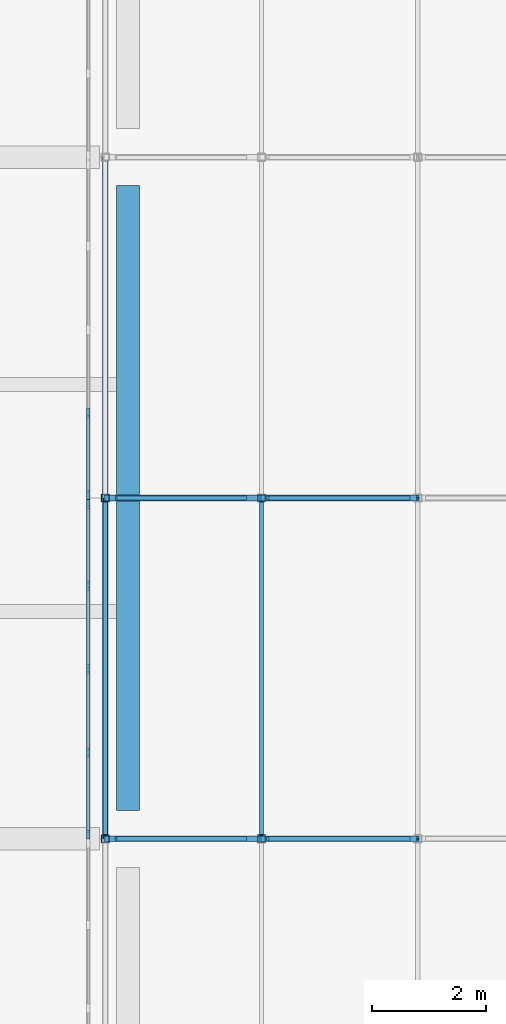
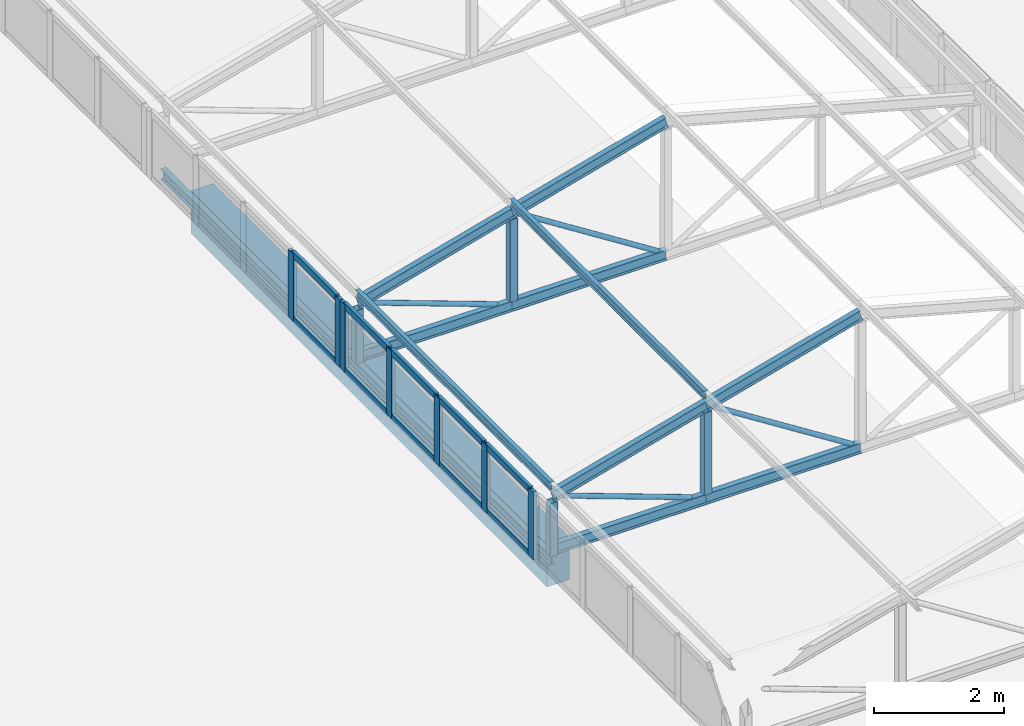
# One storey, part 32 of 94: 35 members, 2 beams, 2 elements without a shape of their own.
"""IFC4 building model written with IfcOpenShell, lengths in metres."""

from ifc_helpers import new_model, si_unit, direction, frame, origin, origin_2d, place, context, subcontext, project, spatial, rectangle, hollow_rectangle, hollow_circle, i_section, extrude, material, layer, layer_set, material_profile, profile_set, type_object, element, aggregate, save


model = new_model("IFC4")

# Units and contexts
model_context = context("Model", 3, precision=1e-05, world=origin(), true_north=direction((0.0, 1.0)))
body_context = subcontext(model_context, "Body", "Model", "MODEL_VIEW")
ifc_project = project(units=[si_unit("LENGTHUNIT", "METRE"), si_unit("AREAUNIT", "SQUARE_METRE"), si_unit("VOLUMEUNIT", "CUBIC_METRE"), si_unit("PLANEANGLEUNIT", "RADIAN"), si_unit("MASSUNIT", "GRAM", prefix="KILO")], contexts=[model_context])

# Site, building, storey
site_placement = place(None, origin())
site = spatial("IfcSite", under=ifc_project, at=site_placement, CompositionType="ELEMENT")
building_placement = place(site_placement, origin())
building = spatial("IfcBuilding", under=site, at=building_placement, Name="Lilac Gate Convention Centre", CompositionType="ELEMENT")
storey_placement = place(building_placement, frame((0.0, 0.0, 21.0)))
storey = spatial("IfcBuildingStorey", under=building, at=storey_placement, Name="L04", CompositionType="ELEMENT", Elevation=21.0)

# Curtain wall, members
ifc_material_1 = material(Name="Aluminium framed double glazing", Category="aluminium")
ifc_layer = layer(ifc_material_1, 0.199951171875)
ifc_layer_set = layer_set([ifc_layer], Name="Aluminium framed double glazing")
curtain_wall_type = type_object("IfcCurtainWallType", Name="Unitised curtain wall 1500", PredefinedType="NOTDEFINED", material=ifc_layer_set)
curtain_wall_1_placement = place(storey_placement, origin())
curtain_wall_1 = element("IfcCurtainWall", 1, at=curtain_wall_1_placement, inside=storey, type_object=curtain_wall_type, Name="Lantern clerestory W 17", PredefinedType="NOTDEFINED")
ifc_material_2 = material(Name="Aluminium alloy 6063", Category="aluminium")
ifc_material_profile_1 = material_profile(ifc_material_2, rectangle(XDim=0.06005859375, YDim=0.159912109375, at=origin_2d()), Name="Curtain wall mullion 60 x 160")
ifc_profile_set_1 = profile_set([ifc_material_profile_1], Name="Aluminium alloy 6063")
member_type_1 = type_object("IfcMemberType", Name="Curtain wall mullion 60 x 160", PredefinedType="MULLION", material=ifc_profile_set_1)
member_1_placement = place(storey_placement, frame((17.300048828125, 126.080078125, 0.0), z_axis=(0.0, 0.0, 1.0), x_axis=(-1.0, 0.0, 0.0)))
member_1 = element("IfcMember", 2, at=member_1_placement, type_object=member_type_1, Name="CW mullion 1", PredefinedType="MULLION", context=body_context, shape_type="SweptSolid", body=[
    extrude(rectangle(XDim=0.06005859375, YDim=0.159912109375, at=origin_2d()), origin(), (0.0, 0.0, 1.0), 1.272216796875),
])
member_2_placement = place(storey_placement, frame((17.300048828125, 127.518798828125, 0.0), z_axis=(0.0, 0.0, 1.0), x_axis=(-1.0, 0.0, 0.0)))
member_2 = element("IfcMember", 3, at=member_2_placement, type_object=member_type_1, Name="CW mullion 2", PredefinedType="MULLION", context=body_context, shape_type="SweptSolid", body=[
    extrude(rectangle(XDim=0.06005859375, YDim=0.159912109375, at=origin_2d()), origin(), (0.0, 0.0, 1.0), 1.272216796875),
])
member_3_placement = place(storey_placement, frame((17.300048828125, 128.987548828125, 0.0), z_axis=(0.0, 0.0, 1.0), x_axis=(-1.0, 0.0, 0.0)))
member_3 = element("IfcMember", 4, at=member_3_placement, type_object=member_type_1, Name="CW mullion 3", PredefinedType="MULLION", context=body_context, shape_type="SweptSolid", body=[
    extrude(rectangle(XDim=0.06005859375, YDim=0.159912109375, at=origin_2d()), origin(), (0.0, 0.0, 1.0), 1.272216796875),
])
member_4_placement = place(storey_placement, frame((17.300048828125, 130.456298828125, 0.0), z_axis=(0.0, 0.0, 1.0), x_axis=(-1.0, 0.0, 0.0)))
member_4 = element("IfcMember", 5, at=member_4_placement, type_object=member_type_1, Name="CW mullion 4", PredefinedType="MULLION", context=body_context, shape_type="SweptSolid", body=[
    extrude(rectangle(XDim=0.06005859375, YDim=0.159912109375, at=origin_2d()), origin(), (0.0, 0.0, 1.0), 1.272216796875),
])
member_5_placement = place(storey_placement, frame((17.300048828125, 131.89501953125, 0.0), z_axis=(0.0, 0.0, 1.0), x_axis=(-1.0, 0.0, 0.0)))
member_5 = element("IfcMember", 6, at=member_5_placement, type_object=member_type_1, Name="CW mullion 5", PredefinedType="MULLION", context=body_context, shape_type="SweptSolid", body=[
    extrude(rectangle(XDim=0.06005859375, YDim=0.159912109375, at=origin_2d()), origin(), (0.0, 0.0, 1.0), 1.272216796875),
])

curtain_wall_2_placement = place(storey_placement, origin())
curtain_wall_2 = element("IfcCurtainWall", 7, at=curtain_wall_2_placement, inside=storey, type_object=curtain_wall_type, Name="Lantern clerestory W 18", PredefinedType="NOTDEFINED")
member_6_placement = place(storey_placement, frame((17.300048828125, 132.054931640625, 0.0), z_axis=(0.0, 0.0, 1.0), x_axis=(-1.0, 0.0, 0.0)))
member_6 = element("IfcMember", 8, at=member_6_placement, type_object=member_type_1, Name="CW mullion 1", PredefinedType="MULLION", context=body_context, shape_type="SweptSolid", body=[
    extrude(rectangle(XDim=0.06005859375, YDim=0.159912109375, at=origin_2d()), origin(), (0.0, 0.0, 1.0), 1.272216796875),
])
member_7_placement = place(storey_placement, frame((17.300048828125, 133.49365234375, 0.0), z_axis=(0.0, 0.0, 1.0), x_axis=(-1.0, 0.0, 0.0)))
member_7 = element("IfcMember", 9, at=member_7_placement, type_object=member_type_1, Name="CW mullion 2", PredefinedType="MULLION", context=body_context, shape_type="SweptSolid", body=[
    extrude(rectangle(XDim=0.06005859375, YDim=0.159912109375, at=origin_2d()), origin(), (0.0, 0.0, 1.0), 1.272216796875),
])

# Member
ifc_material_profile_2 = material_profile(ifc_material_2, rectangle(XDim=0.06005859375, YDim=0.1201171875, at=origin_2d()), Name="Curtain wall transom 60 x 120")
ifc_profile_set_2 = profile_set([ifc_material_profile_2], Name="Aluminium alloy 6063")
member_type_2 = type_object("IfcMemberType", Name="Curtain wall transom 60 x 120", PredefinedType="USERDEFINED", material=ifc_profile_set_2)
member_8_placement = place(storey_placement, frame((17.300048828125, 126.110107421875, 0.030029296875), z_axis=(0.0, 1.0, 0.0), x_axis=(-1.0, 0.0, 0.0)))
member_8 = element("IfcMember", 10, at=member_8_placement, type_object=member_type_2, Name="CW transom 1.1", ObjectType="TRANSOM", PredefinedType="USERDEFINED", context=body_context, shape_type="SweptSolid", body=[
    extrude(rectangle(XDim=0.06005859375, YDim=0.1201171875, at=origin_2d()), origin(), (0.0, 0.0, 1.0), 1.378662109375),
])

member_9_placement = place(storey_placement, frame((17.300048828125, 126.110107421875, 1.2421875), z_axis=(0.0, 1.0, 0.0), x_axis=(-1.0, 0.0, 0.0)))
member_9 = element("IfcMember", 11, at=member_9_placement, type_object=member_type_2, Name="CW transom 1.2", ObjectType="TRANSOM", PredefinedType="USERDEFINED", context=body_context, shape_type="SweptSolid", body=[
    extrude(rectangle(XDim=0.06005859375, YDim=0.1201171875, at=origin_2d()), origin(), (0.0, 0.0, 1.0), 1.378662109375),
])

member_10_placement = place(storey_placement, frame((17.300048828125, 127.548828125, 0.030029296875), z_axis=(0.0, 1.0, 0.0), x_axis=(-1.0, 0.0, 0.0)))
member_10 = element("IfcMember", 12, at=member_10_placement, type_object=member_type_2, Name="CW transom 2.1", ObjectType="TRANSOM", PredefinedType="USERDEFINED", context=body_context, shape_type="SweptSolid", body=[
    extrude(rectangle(XDim=0.06005859375, YDim=0.1201171875, at=origin_2d()), origin(), (0.0, 0.0, 1.0), 1.40869140625),
])

member_11_placement = place(storey_placement, frame((17.300048828125, 127.548828125, 1.2421875), z_axis=(0.0, 1.0, 0.0), x_axis=(-1.0, 0.0, 0.0)))
member_11 = element("IfcMember", 13, at=member_11_placement, type_object=member_type_2, Name="CW transom 2.2", ObjectType="TRANSOM", PredefinedType="USERDEFINED", context=body_context, shape_type="SweptSolid", body=[
    extrude(rectangle(XDim=0.06005859375, YDim=0.1201171875, at=origin_2d()), origin(), (0.0, 0.0, 1.0), 1.40869140625),
])

member_12_placement = place(storey_placement, frame((17.300048828125, 129.017578125, 0.030029296875), z_axis=(0.0, 1.0, 0.0), x_axis=(-1.0, 0.0, 0.0)))
member_12 = element("IfcMember", 14, at=member_12_placement, type_object=member_type_2, Name="CW transom 3.1", ObjectType="TRANSOM", PredefinedType="USERDEFINED", context=body_context, shape_type="SweptSolid", body=[
    extrude(rectangle(XDim=0.06005859375, YDim=0.1201171875, at=origin_2d()), origin(), (0.0, 0.0, 1.0), 1.40869140625),
])

member_13_placement = place(storey_placement, frame((17.300048828125, 129.017578125, 1.2421875), z_axis=(0.0, 1.0, 0.0), x_axis=(-1.0, 0.0, 0.0)))
member_13 = element("IfcMember", 15, at=member_13_placement, type_object=member_type_2, Name="CW transom 3.2", ObjectType="TRANSOM", PredefinedType="USERDEFINED", context=body_context, shape_type="SweptSolid", body=[
    extrude(rectangle(XDim=0.06005859375, YDim=0.1201171875, at=origin_2d()), origin(), (0.0, 0.0, 1.0), 1.40869140625),
])

member_14_placement = place(storey_placement, frame((17.300048828125, 130.486328125, 0.030029296875), z_axis=(0.0, 1.0, 0.0), x_axis=(-1.0, 0.0, 0.0)))
member_14 = element("IfcMember", 16, at=member_14_placement, type_object=member_type_2, Name="CW transom 4.1", ObjectType="TRANSOM", PredefinedType="USERDEFINED", context=body_context, shape_type="SweptSolid", body=[
    extrude(rectangle(XDim=0.06005859375, YDim=0.1201171875, at=origin_2d()), origin(), (0.0, 0.0, 1.0), 1.378662109375),
])

member_15_placement = place(storey_placement, frame((17.300048828125, 130.486328125, 1.2421875), z_axis=(0.0, 1.0, 0.0), x_axis=(-1.0, 0.0, 0.0)))
member_15 = element("IfcMember", 17, at=member_15_placement, type_object=member_type_2, Name="CW transom 4.2", ObjectType="TRANSOM", PredefinedType="USERDEFINED", context=body_context, shape_type="SweptSolid", body=[
    extrude(rectangle(XDim=0.06005859375, YDim=0.1201171875, at=origin_2d()), origin(), (0.0, 0.0, 1.0), 1.378662109375),
])

aggregate(curtain_wall_1, [member_1, member_2, member_3, member_4, member_5, member_8, member_9, member_10, member_11, member_12, member_13, member_14, member_15])

member_16_placement = place(storey_placement, frame((17.300048828125, 132.0849609375, 0.030029296875), z_axis=(0.0, 1.0, 0.0), x_axis=(-1.0, 0.0, 0.0)))
member_16 = element("IfcMember", 18, at=member_16_placement, type_object=member_type_2, Name="CW transom 1.1", ObjectType="TRANSOM", PredefinedType="USERDEFINED", context=body_context, shape_type="SweptSolid", body=[
    extrude(rectangle(XDim=0.06005859375, YDim=0.1201171875, at=origin_2d()), origin(), (0.0, 0.0, 1.0), 1.378662109375),
])

member_17_placement = place(storey_placement, frame((17.300048828125, 132.0849609375, 1.2421875), z_axis=(0.0, 1.0, 0.0), x_axis=(-1.0, 0.0, 0.0)))
member_17 = element("IfcMember", 19, at=member_17_placement, type_object=member_type_2, Name="CW transom 1.2", ObjectType="TRANSOM", PredefinedType="USERDEFINED", context=body_context, shape_type="SweptSolid", body=[
    extrude(rectangle(XDim=0.06005859375, YDim=0.1201171875, at=origin_2d()), origin(), (0.0, 0.0, 1.0), 1.378662109375),
])

aggregate(curtain_wall_2, [member_6, member_7, member_16, member_17])

# Members
ifc_material_3 = material(Name="Steel Q355B", Category="steel")
ifc_material_profile_3 = material_profile(ifc_material_3, i_section(OverallWidth=0.10009765625, OverallDepth=0.199951171875, WebThickness=0.005615234375, FlangeThickness=0.008056640625, FilletRadius=0.008056640625, at=origin_2d()), Name="HN200x100x5.5x8")
ifc_profile_set_3 = profile_set([ifc_material_profile_3], Name="Steel Q355B")
member_type_3 = type_object("IfcMemberType", Name="Lantern bottom chord HN200x100x5.5x8", PredefinedType="CHORD", material=ifc_profile_set_3)
for number, where, z_axis, x_axis, name in (
    (20, (17.60009765625, 126.0, 0.10009765625), (1.0, 0.0, 0.0), (0.0, 1.0, 0.0), "LB1 lantern truss 17 bottom chord 1"),
    (21, (20.35009765625, 126.0, 0.10009765625), (1.0, 0.0, 0.0), (0.0, 1.0, 0.0), "LB1 lantern truss 17 bottom chord 2"),
    (22, (17.60009765625, 132.0, 0.10009765625), (1.0, 0.0, 0.0), (0.0, 1.0, 0.0), "LB1 lantern truss 18 bottom chord 1"),
    (23, (20.35009765625, 132.0, 0.10009765625), (1.0, 0.0, 0.0), (0.0, 1.0, 0.0), "LB1 lantern truss 18 bottom chord 2"),
):
    element("IfcMember", number, at=place(storey_placement, frame(where, z_axis=z_axis, x_axis=x_axis)), inside=storey, type_object=member_type_3, Name=name, PredefinedType="CHORD", context=body_context, shape_type="SweptSolid", body=[
        extrude(i_section(OverallWidth=0.10009765625, OverallDepth=0.199951171875, WebThickness=0.005615234375, FlangeThickness=0.008056640625, FilletRadius=0.008056640625, at=origin_2d()), origin(), (0.0, 0.0, 1.0), 2.75),
    ])
ifc_material_profile_4 = material_profile(ifc_material_3, hollow_circle(Radius=0.04443359375, WallThickness=0.0048828125, at=origin_2d()), Name="CHS88.9x5")
ifc_profile_set_4 = profile_set([ifc_material_profile_4], Name="Steel Q355B")
member_type_4 = type_object("IfcMemberType", Name="Lantern diagonal CHS88.9x5", PredefinedType="BRACE", material=ifc_profile_set_4)
member_18_placement = place(storey_placement, frame((17.789794921875, 126.0, 1.031005859375), z_axis=(0.939781696917, 0.0, -0.341775309434), x_axis=(0.0, 1.0, 0.0)))
element("IfcMember", 24, at=member_18_placement, inside=storey, type_object=member_type_4, Name="LW1 lantern truss 17 diagonal 1", PredefinedType="BRACE", context=body_context, shape_type="SweptSolid", body=[
    extrude(hollow_circle(Radius=0.04443359375, WallThickness=0.0048828125, at=origin_2d()), origin(), (0.0, 0.0, 1.0), 2.431640625),
])
member_19_placement = place(storey_placement, frame((20.45849609375, 126.0, 1.781005859375), z_axis=(0.843647832412, 0.0, -0.536896949951), x_axis=(0.0, 1.0, 0.0)))
element("IfcMember", 25, at=member_19_placement, inside=storey, type_object=member_type_4, Name="LW1 lantern truss 17 diagonal 2", PredefinedType="BRACE", context=body_context, shape_type="SweptSolid", body=[
    extrude(hollow_circle(Radius=0.04443359375, WallThickness=0.0048828125, at=origin_2d()), origin(), (0.0, 0.0, 1.0), 2.94482421875),
])
member_20_placement = place(storey_placement, frame((17.789794921875, 132.0, 1.031005859375), z_axis=(0.939781696917, 0.0, -0.341775309434), x_axis=(0.0, 1.0, 0.0)))
element("IfcMember", 26, at=member_20_placement, inside=storey, type_object=member_type_4, Name="LW1 lantern truss 18 diagonal 1", PredefinedType="BRACE", context=body_context, shape_type="SweptSolid", body=[
    extrude(hollow_circle(Radius=0.04443359375, WallThickness=0.0048828125, at=origin_2d()), origin(), (0.0, 0.0, 1.0), 2.431640625),
])
member_21_placement = place(storey_placement, frame((20.45849609375, 132.0, 1.781005859375), z_axis=(0.843647832412, 0.0, -0.536896949951), x_axis=(0.0, 1.0, 0.0)))
element("IfcMember", 27, at=member_21_placement, inside=storey, type_object=member_type_4, Name="LW1 lantern truss 18 diagonal 2", PredefinedType="BRACE", context=body_context, shape_type="SweptSolid", body=[
    extrude(hollow_circle(Radius=0.04443359375, WallThickness=0.0048828125, at=origin_2d()), origin(), (0.0, 0.0, 1.0), 2.94482421875),
])
ifc_material_profile_5 = material_profile(ifc_material_3, hollow_rectangle(XDim=0.139892578125, YDim=0.139892578125, WallThickness=0.0048828125, InnerFilletRadius=0.0048828125, OuterFilletRadius=0.010009765625, at=origin_2d()), Name="SHS140x140x5")
ifc_profile_set_5 = profile_set([ifc_material_profile_5], Name="Steel Q355B")
member_type_5 = type_object("IfcMemberType", Name="Lantern post SHS140x140x5", PredefinedType="STRUT", material=ifc_profile_set_5)
member_22_placement = place(storey_placement, frame((17.60009765625, 126.0, 0.0), z_axis=(0.0, 0.0, 1.0), x_axis=(1.0, 0.0, 0.0)))
element("IfcMember", 28, at=member_22_placement, inside=storey, type_object=member_type_5, Name="LV1 lantern truss 17 post 1", PredefinedType="STRUT", context=body_context, shape_type="SweptSolid", body=[
    extrude(hollow_rectangle(XDim=0.139892578125, YDim=0.139892578125, WallThickness=0.0048828125, InnerFilletRadius=0.0048828125, OuterFilletRadius=0.010009765625, at=origin_2d()), origin(), (0.0, 0.0, 1.0), 1.001953125),
])
member_23_placement = place(storey_placement, frame((20.35009765625, 126.0, 0.199951171875), z_axis=(0.0, 0.0, 1.0), x_axis=(1.0, 0.0, 0.0)))
element("IfcMember", 29, at=member_23_placement, inside=storey, type_object=member_type_5, Name="LV1 lantern truss 17 post 2", PredefinedType="STRUT", context=body_context, shape_type="SweptSolid", body=[
    extrude(hollow_rectangle(XDim=0.139892578125, YDim=0.139892578125, WallThickness=0.0048828125, InnerFilletRadius=0.0048828125, OuterFilletRadius=0.010009765625, at=origin_2d()), origin(), (0.0, 0.0, 1.0), 1.546142578125),
])
member_24_placement = place(storey_placement, frame((17.60009765625, 132.0, 0.0), z_axis=(0.0, 0.0, 1.0), x_axis=(1.0, 0.0, 0.0)))
element("IfcMember", 30, at=member_24_placement, inside=storey, type_object=member_type_5, Name="LV1 lantern truss 18 post 1", PredefinedType="STRUT", context=body_context, shape_type="SweptSolid", body=[
    extrude(hollow_rectangle(XDim=0.139892578125, YDim=0.139892578125, WallThickness=0.0048828125, InnerFilletRadius=0.0048828125, OuterFilletRadius=0.010009765625, at=origin_2d()), origin(), (0.0, 0.0, 1.0), 1.001953125),
])
member_25_placement = place(storey_placement, frame((20.35009765625, 132.0, 0.199951171875), z_axis=(0.0, 0.0, 1.0), x_axis=(1.0, 0.0, 0.0)))
element("IfcMember", 31, at=member_25_placement, inside=storey, type_object=member_type_5, Name="LV1 lantern truss 18 post 2", PredefinedType="STRUT", context=body_context, shape_type="SweptSolid", body=[
    extrude(hollow_rectangle(XDim=0.139892578125, YDim=0.139892578125, WallThickness=0.0048828125, InnerFilletRadius=0.0048828125, OuterFilletRadius=0.010009765625, at=origin_2d()), origin(), (0.0, 0.0, 1.0), 1.546142578125),
])
ifc_material_profile_6 = material_profile(ifc_material_3, i_section(OverallWidth=0.074951171875, OverallDepth=0.14990234375, WebThickness=0.0048828125, FlangeThickness=0.007080078125, FilletRadius=0.008056640625, at=origin_2d()), Name="HN150x75x5x7")
ifc_profile_set_6 = profile_set([ifc_material_profile_6], Name="Steel Q355B")
member_type_6 = type_object("IfcMemberType", Name="Lantern purlin HN150x75x5x7", PredefinedType="PURLIN", material=ifc_profile_set_6)
for number, where, z_axis, x_axis, name in (
    (32, (17.60009765625, 126.0, 1.279052734375), (0.0, 1.0, 0.0), (-1.0, 0.0, 0.0), "LP1 lantern purlin bay 17 line 1"),
    (33, (20.35009765625, 126.0, 2.029052734375), (0.0, 1.0, 0.0), (-1.0, 0.0, 0.0), "LP1 lantern purlin bay 17 line 2"),
):
    element("IfcMember", number, at=place(storey_placement, frame(where, z_axis=z_axis, x_axis=x_axis)), inside=storey, type_object=member_type_6, Name=name, PredefinedType="PURLIN", context=body_context, shape_type="SweptSolid", body=[
        extrude(i_section(OverallWidth=0.074951171875, OverallDepth=0.14990234375, WebThickness=0.0048828125, FlangeThickness=0.007080078125, FilletRadius=0.008056640625, at=origin_2d()), origin(), (0.0, 0.0, 1.0), 6.0),
    ])
ifc_material_profile_7 = material_profile(ifc_material_3, i_section(OverallWidth=0.10009765625, OverallDepth=0.199951171875, WebThickness=0.005615234375, FlangeThickness=0.008056640625, FilletRadius=0.008056640625, at=origin_2d()), Name="HN200x100x5.5x8")
ifc_profile_set_7 = profile_set([ifc_material_profile_7], Name="Steel Q355B")
member_type_7 = type_object("IfcMemberType", Name="Lantern top chord HN200x100x5.5x8", PredefinedType="CHORD", material=ifc_profile_set_7)
for number, where, z_axis, x_axis, name in (
    (34, (17.60009765625, 126.0, 1.10009765625), (0.964763821238, 0.0, 0.263117405792), (0.0, 1.0, 0.0), "LT1 lantern truss 17 top chord 1"),
    (35, (20.35009765625, 126.0, 1.85009765625), (0.964763821238, 0.0, 0.263117405792), (0.0, 1.0, 0.0), "LT1 lantern truss 17 top chord 2"),
    (36, (17.60009765625, 132.0, 1.10009765625), (0.964763821238, 0.0, 0.263117405792), (0.0, 1.0, 0.0), "LT1 lantern truss 18 top chord 1"),
    (37, (20.35009765625, 132.0, 1.85009765625), (0.964763821238, 0.0, 0.263117405792), (0.0, 1.0, 0.0), "LT1 lantern truss 18 top chord 2"),
):
    element("IfcMember", number, at=place(storey_placement, frame(where, z_axis=z_axis, x_axis=x_axis)), inside=storey, type_object=member_type_7, Name=name, PredefinedType="CHORD", context=body_context, shape_type="SweptSolid", body=[
        extrude(i_section(OverallWidth=0.10009765625, OverallDepth=0.199951171875, WebThickness=0.005615234375, FlangeThickness=0.008056640625, FilletRadius=0.008056640625, at=origin_2d()), origin(), (0.0, 0.0, 1.0), 2.850341796875),
    ])

# Beams
ifc_material_profile_8 = material_profile(ifc_material_3, i_section(OverallWidth=0.10009765625, OverallDepth=0.199951171875, WebThickness=0.005615234375, FlangeThickness=0.008056640625, FilletRadius=0.008056640625, at=origin_2d()), Name="HN200x100x5.5x8")
ifc_profile_set_8 = profile_set([ifc_material_profile_8], Name="Steel Q355B")
beam_type_1 = type_object("IfcBeamType", Name="Steel edge beam HN200x100x5.5x8", PredefinedType="BEAM", material=ifc_profile_set_8)
beam_1_placement = place(storey_placement, frame((17.60009765625, 126.0, -0.10009765625), z_axis=(0.0, 1.0, 0.0), x_axis=(-1.0, 0.0, 0.0)))
element("IfcBeam", 38, at=beam_1_placement, inside=storey, type_object=beam_type_1, Name="LE2 lantern west edge beam 9", PredefinedType="BEAM", context=body_context, shape_type="SweptSolid", body=[
    extrude(i_section(OverallWidth=0.10009765625, OverallDepth=0.199951171875, WebThickness=0.005615234375, FlangeThickness=0.008056640625, FilletRadius=0.008056640625, at=origin_2d()), origin(), (0.0, 0.0, 1.0), 12.0),
])
ifc_material_4 = material(Name="Concrete C40", Category="concrete")
ifc_material_profile_9 = material_profile(ifc_material_4, rectangle(XDim=0.39990234375, YDim=0.800048828125, at=origin_2d()), Name="RC 400x800")
ifc_profile_set_9 = profile_set([ifc_material_profile_9], Name="Concrete C40")
beam_type_2 = type_object("IfcBeamType", Name="Tower primary beam 400x800 C40", PredefinedType="BEAM", material=ifc_profile_set_9)
beam_2_placement = place(storey_placement, frame((18.0, 126.5, -0.60009765625), z_axis=(0.0, 1.0, 0.0), x_axis=(-1.0, 0.0, 0.0)))
element("IfcBeam", 39, at=beam_2_placement, inside=storey, type_object=beam_type_2, Name="RB3 L04 2/J-2/K", PredefinedType="BEAM", context=body_context, shape_type="SweptSolid", body=[
    extrude(rectangle(XDim=0.39990234375, YDim=0.800048828125, at=origin_2d()), origin(), (0.0, 0.0, 1.0), 11.0),
])

save(model, "model.ifc")
